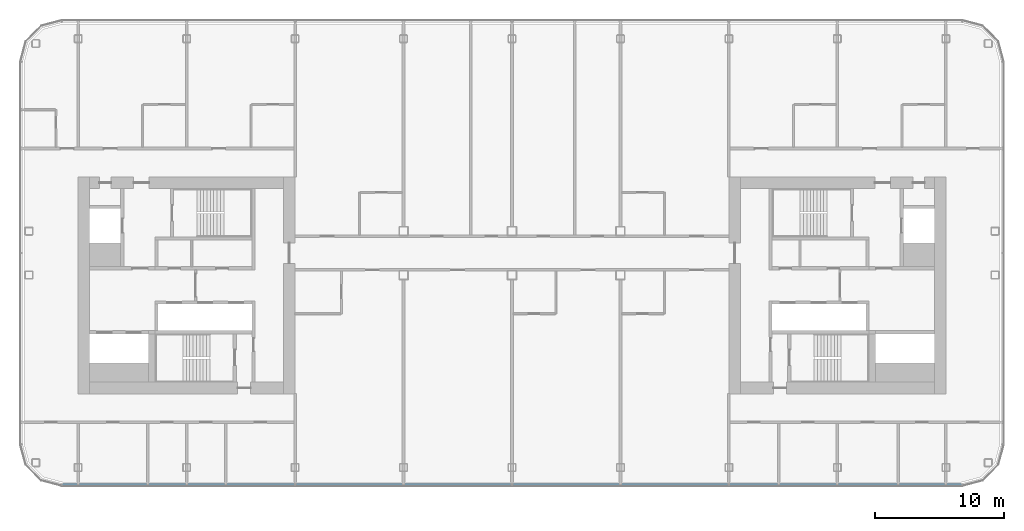
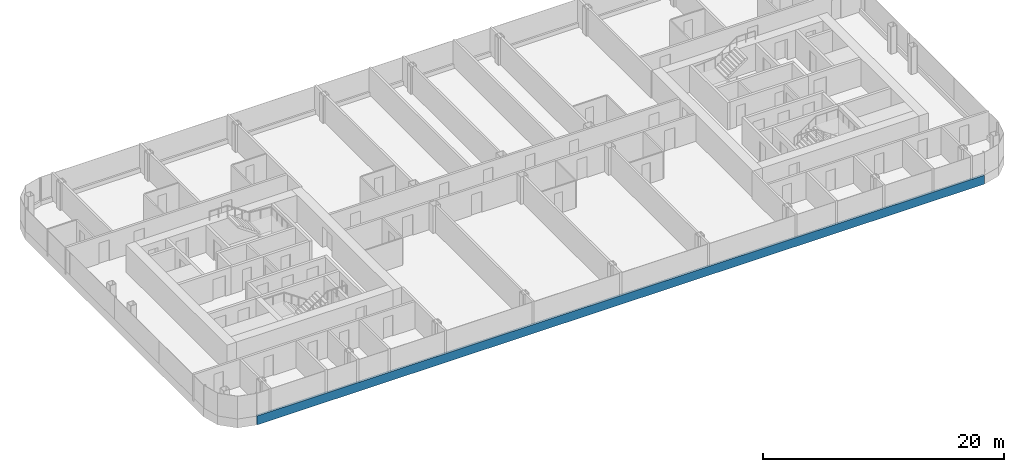
# One storey, part 4 of 25: 1 member, 1 element without a shape of its own.
"""IFC4 building model written with IfcOpenShell, lengths in metres."""

from ifc_helpers import new_model, si_unit, direction, frame, origin, origin_2d, place, context, subcontext, project, spatial, rectangle, extrude, material, layer, layer_set, material_profile, profile_set, type_object, element, aggregate, save


model = new_model("IFC4")

# Units and contexts
model_context = context("Model", 3, precision=1e-05, world=origin(), true_north=direction((0.0, 1.0)))
body_context = subcontext(model_context, "Body", "Model", "MODEL_VIEW")
ifc_project = project(units=[si_unit("LENGTHUNIT", "METRE"), si_unit("AREAUNIT", "SQUARE_METRE"), si_unit("VOLUMEUNIT", "CUBIC_METRE"), si_unit("PLANEANGLEUNIT", "RADIAN"), si_unit("MASSUNIT", "GRAM", prefix="KILO")], contexts=[model_context])

# Site, building, storey
site_placement = place(None, origin())
site = spatial("IfcSite", under=ifc_project, at=site_placement, CompositionType="ELEMENT")
building_placement = place(site_placement, origin())
building = spatial("IfcBuilding", under=site, at=building_placement, Name="Hakoniwa Tower and Hamabe Station Hall", CompositionType="ELEMENT")
storey_placement = place(building_placement, frame((0.0, 0.0, 186.60009765625)))
storey = spatial("IfcBuildingStorey", under=building, at=storey_placement, Name="L52", CompositionType="ELEMENT", Elevation=186.60009765625)

# Curtain wall, member
ifc_material_1 = material(Name="Dark low-e laminated glass", Category="glass")
ifc_layer = layer(ifc_material_1, 0.199951171875)
ifc_layer_set = layer_set([ifc_layer], Name="CW-1 UNITISED GUEST")
curtain_wall_type = type_object("IfcCurtainWallType", Name="CW-1 UNITISED GUEST", PredefinedType="NOTDEFINED", material=ifc_layer_set)
curtain_wall_placement = place(storey_placement, origin())
curtain_wall = element("IfcCurtainWall", 1, at=curtain_wall_placement, inside=storey, type_object=curtain_wall_type, Name="CW-1 curtain wall", PredefinedType="NOTDEFINED")
ifc_material_2 = material(Name="Aluminium 6063-T5 black anodised", Category="aluminium")
ifc_material_profile = material_profile(ifc_material_2, rectangle(XDim=0.199951171875, YDim=0.89990234375, at=origin_2d()), Name="CW SLAB-EDGE BAND 900X200")
ifc_profile_set = profile_set([ifc_material_profile], Name="Aluminium 6063-T5 black anodised")
member_type = type_object("IfcMemberType", Name="CW SLAB-EDGE BAND 900X200", PredefinedType="USERDEFINED", material=ifc_profile_set)
member_placement = place(storey_placement, frame((-34.839599609375, -15.449951171875, -0.10009765625), z_axis=(1.0, 0.0, 0.0), x_axis=(0.0, 1.0, 0.0)))
member = element("IfcMember", 2, at=member_placement, type_object=member_type, Name="CW-1 transom", ObjectType="TRANSOM", PredefinedType="USERDEFINED", context=body_context, shape_type="SweptSolid", body=[
    extrude(rectangle(XDim=0.199951171875, YDim=0.89990234375, at=origin_2d()), origin(), (0.0, 0.0, 1.0), 69.67919921875),
])
aggregate(curtain_wall, [member])

save(model, "model.ifc")
